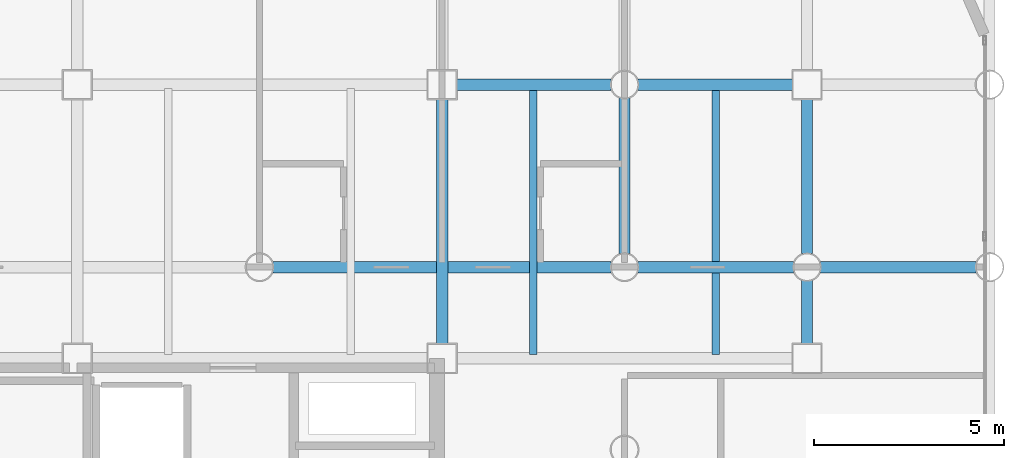
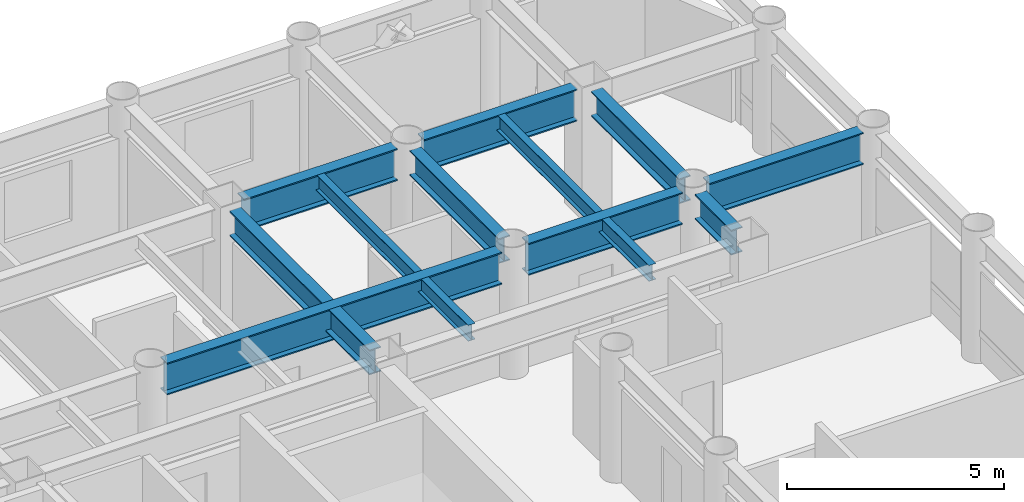
# One storey, part 13 of 22: 11 beams.
"""IFC4 building model written with IfcOpenShell, lengths in metres."""

from ifc_helpers import new_model, si_unit, direction, frame, origin, origin_2d, place, context, subcontext, project, spatial, i_section, extrude, material, material_profile, profile_set, type_object, element, save


model = new_model("IFC4")

# Units and contexts
model_context = context("Model", 3, precision=1e-05, world=origin(), true_north=direction((0.0, 1.0)))
body_context = subcontext(model_context, "Body", "Model", "MODEL_VIEW")
ifc_project = project(units=[si_unit("LENGTHUNIT", "METRE"), si_unit("AREAUNIT", "SQUARE_METRE"), si_unit("VOLUMEUNIT", "CUBIC_METRE"), si_unit("PLANEANGLEUNIT", "RADIAN"), si_unit("MASSUNIT", "GRAM", prefix="KILO")], contexts=[model_context])

# Site, building, storey
site_placement = place(None, origin())
site = spatial("IfcSite", under=ifc_project, at=site_placement, CompositionType="ELEMENT")
building_placement = place(site_placement, origin())
building = spatial("IfcBuilding", under=site, at=building_placement, Name="Kallvorn Hotel Tower", CompositionType="ELEMENT")
storey_placement = place(building_placement, frame((0.0, 0.0, 48.5)))
storey = spatial("IfcBuildingStorey", under=building, at=storey_placement, Name="L10", CompositionType="ELEMENT", Elevation=48.5)

# Beams
ifc_material_1 = material(Name="Structural steel S355JR", Category="steel")
ifc_material_profile_1 = material_profile(ifc_material_1, i_section(OverallWidth=0.300048828125, OverallDepth=0.699951171875, WebThickness=0.01708984375, FlangeThickness=0.031982421875, at=origin_2d()), Name="HE 700 B")
ifc_profile_set_1 = profile_set([ifc_material_profile_1], Name="Structural steel S355JR")
beam_type_1 = type_object("IfcBeamType", Name="BM_HE700B", PredefinedType="BEAM", material=ifc_profile_set_1)
beam_1_placement = place(storey_placement, frame((14.39990234375, 7.574951171875, 3.169921875), z_axis=(0.0, 1.0, 0.0), x_axis=(-1.0, 0.0, 0.0)))
element("IfcBeam", 1, at=beam_1_placement, inside=storey, type_object=beam_type_1, Name="L11 Primary Y-Girder 125", PredefinedType="BEAM", context=body_context, shape_type="SweptSolid", body=[
    extrude(i_section(OverallWidth=0.300048828125, OverallDepth=0.699951171875, WebThickness=0.01708984375, FlangeThickness=0.031982421875, at=origin_2d()), origin(), (0.0, 0.0, 1.0), 6.449951171875),
])
beam_2_placement = place(storey_placement, frame((19.199951171875, 9.9560546875, 3.169921875), z_axis=(0.0, 1.0, 0.0), x_axis=(-1.0, 0.0, 0.0)))
element("IfcBeam", 2, at=beam_2_placement, inside=storey, type_object=beam_type_1, Name="L11 Primary Y-Girder 134", PredefinedType="BEAM", context=body_context, shape_type="SweptSolid", body=[
    extrude(i_section(OverallWidth=0.300048828125, OverallDepth=0.699951171875, WebThickness=0.01708984375, FlangeThickness=0.031982421875, at=origin_2d()), origin(), (0.0, 0.0, 1.0), 4.087890625),
])
beam_3_placement = place(storey_placement, frame((24.0, 7.574951171875, 3.169921875), z_axis=(0.0, 1.0, 0.0), x_axis=(-1.0, 0.0, 0.0)))
element("IfcBeam", 3, at=beam_3_placement, inside=storey, type_object=beam_type_1, Name="L11 Primary Y-Girder 140", PredefinedType="BEAM", context=body_context, shape_type="SweptSolid", body=[
    extrude(i_section(OverallWidth=0.300048828125, OverallDepth=0.699951171875, WebThickness=0.01708984375, FlangeThickness=0.031982421875, at=origin_2d()), origin(), (0.0, 0.0, 1.0), 1.6689453125),
])
beam_4_placement = place(storey_placement, frame((24.0, 9.9560546875, 3.169921875), z_axis=(0.0, 1.0, 0.0), x_axis=(-1.0, 0.0, 0.0)))
element("IfcBeam", 4, at=beam_4_placement, inside=storey, type_object=beam_type_1, Name="L11 Primary Y-Girder 141", PredefinedType="BEAM", context=body_context, shape_type="SweptSolid", body=[
    extrude(i_section(OverallWidth=0.300048828125, OverallDepth=0.699951171875, WebThickness=0.01708984375, FlangeThickness=0.031982421875, at=origin_2d()), origin(), (0.0, 0.0, 1.0), 4.06884765625),
])
ifc_material_2 = material(Name="Structural steel S355JR", Category="steel")
ifc_material_profile_2 = material_profile(ifc_material_2, i_section(OverallWidth=0.300048828125, OverallDepth=0.89990234375, WebThickness=0.0185546875, FlangeThickness=0.034912109375, at=origin_2d()), Name="HE 900 B")
ifc_profile_set_2 = profile_set([ifc_material_profile_2], Name="Structural steel S355JR")
beam_type_2 = type_object("IfcBeamType", Name="BM_HE900B", PredefinedType="BEAM", material=ifc_profile_set_2)
beam_5_placement = place(storey_placement, frame((9.9560546875, 9.60009765625, 3.070068359375), z_axis=(1.0, 0.0, 0.0), x_axis=(0.0, 1.0, 0.0)))
element("IfcBeam", 5, at=beam_5_placement, inside=storey, type_object=beam_type_2, Name="L11 Primary X-Girder 48", PredefinedType="BEAM", context=body_context, shape_type="SweptSolid", body=[
    extrude(i_section(OverallWidth=0.300048828125, OverallDepth=0.89990234375, WebThickness=0.0185546875, FlangeThickness=0.034912109375, at=origin_2d()), origin(), (0.0, 0.0, 1.0), 8.887939453125),
])
for number, where, z_axis, x_axis, name in (
    (6, (19.555908203125, 9.60009765625, 3.070068359375), (1.0, 0.0, 0.0), (0.0, 1.0, 0.0), "L11 Primary X-Girder 49"),
    (7, (24.35595703125, 9.60009765625, 3.070068359375), (1.0, 0.0, 0.0), (0.0, 1.0, 0.0), "L11 Primary X-Girder 50"),
):
    element("IfcBeam", number, at=place(storey_placement, frame(where, z_axis=z_axis, x_axis=x_axis)), inside=storey, type_object=beam_type_2, Name=name, PredefinedType="BEAM", context=body_context, shape_type="SweptSolid", body=[
        extrude(i_section(OverallWidth=0.300048828125, OverallDepth=0.89990234375, WebThickness=0.0185546875, FlangeThickness=0.034912109375, at=origin_2d()), origin(), (0.0, 0.0, 1.0), 4.088134765625),
    ])
for number, where, z_axis, x_axis, name in (
    (8, (14.77490234375, 14.39990234375, 3.070068359375), (1.0, 0.0, 0.0), (0.0, 1.0, 0.0), "L11 Primary X-Girder 58"),
    (9, (19.555908203125, 14.39990234375, 3.070068359375), (1.0, 0.0, 0.0), (0.0, 1.0, 0.0), "L11 Primary X-Girder 59"),
):
    element("IfcBeam", number, at=place(storey_placement, frame(where, z_axis=z_axis, x_axis=x_axis)), inside=storey, type_object=beam_type_2, Name=name, PredefinedType="BEAM", context=body_context, shape_type="SweptSolid", body=[
        extrude(i_section(OverallWidth=0.300048828125, OverallDepth=0.89990234375, WebThickness=0.0185546875, FlangeThickness=0.034912109375, at=origin_2d()), origin(), (0.0, 0.0, 1.0), 4.069091796875),
    ])
ifc_material_3 = material(Name="Structural steel S355JR", Category="steel")
ifc_material_profile_3 = material_profile(ifc_material_3, i_section(OverallWidth=0.18994140625, OverallDepth=0.449951171875, WebThickness=0.009521484375, FlangeThickness=0.0146484375, at=origin_2d()), Name="IPE 450")
ifc_profile_set_3 = profile_set([ifc_material_profile_3], Name="Structural steel S355JR")
beam_type_3 = type_object("IfcBeamType", Name="BM_IPE450", PredefinedType="JOIST", material=ifc_profile_set_3)
for number, where, z_axis, x_axis, name in (
    (10, (16.800048828125, 7.300048828125, 3.294921875), (0.0, 1.0, 0.0), (-1.0, 0.0, 0.0), "L11 Secondary Composite Joist 207"),
    (11, (21.60009765625, 7.300048828125, 3.294921875), (0.0, 1.0, 0.0), (-1.0, 0.0, 0.0), "L11 Secondary Composite Joist 209"),
):
    element("IfcBeam", number, at=place(storey_placement, frame(where, z_axis=z_axis, x_axis=x_axis)), inside=storey, type_object=beam_type_3, Name=name, PredefinedType="JOIST", context=body_context, shape_type="SweptSolid", body=[
        extrude(i_section(OverallWidth=0.18994140625, OverallDepth=0.449951171875, WebThickness=0.009521484375, FlangeThickness=0.0146484375, at=origin_2d()), origin(), (0.0, 0.0, 1.0), 7.0),
    ])

save(model, "model.ifc")
